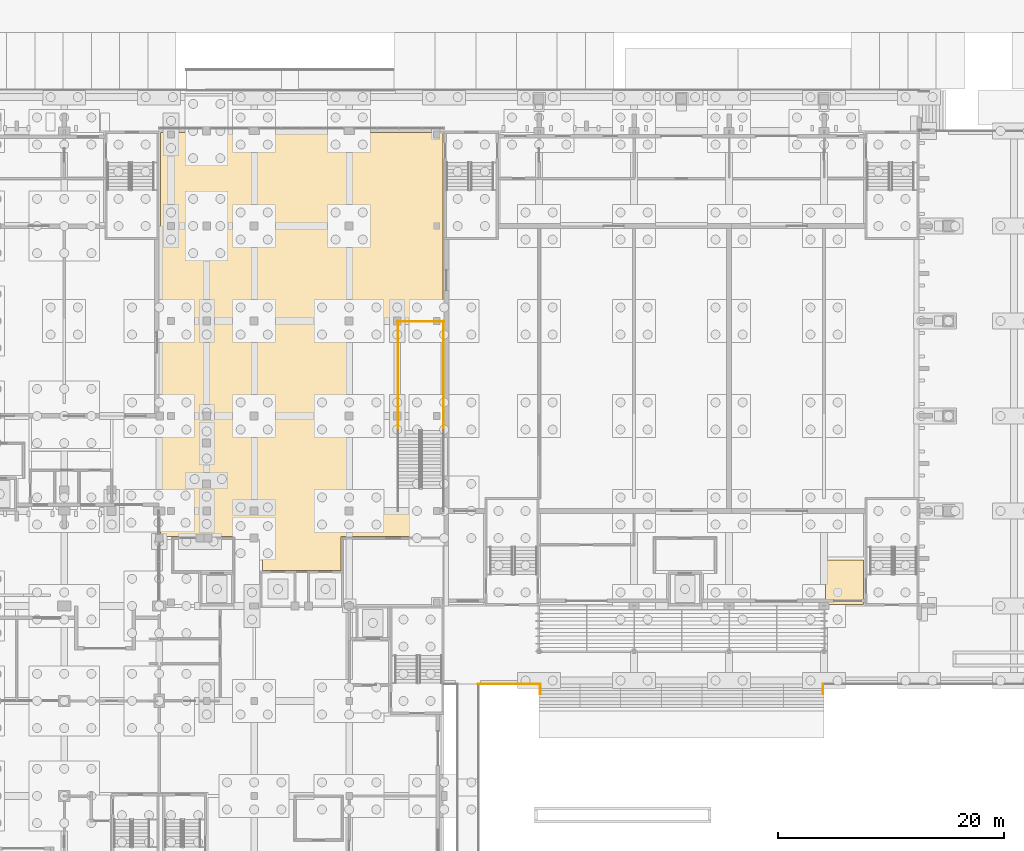
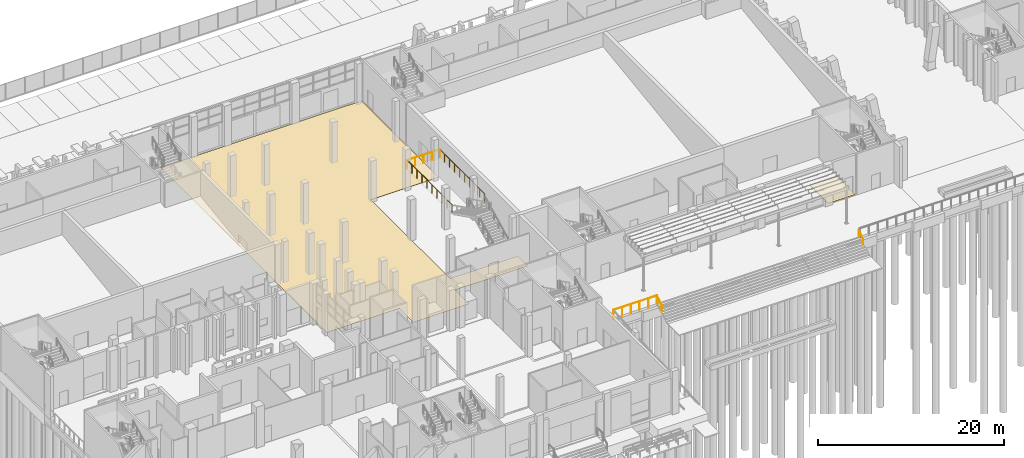
# One storey, part 110 of 129: 6 railings, 2 coverings.
"""IFC4 building model written with IfcOpenShell, lengths in metres."""

from ifc_helpers import new_model, si_unit, direction, frame, origin, origin_2d, place, context, subcontext, project, spatial, polyline, circle, outline, extrude, material, layer, layer_set, type_object, element, save


model = new_model("IFC4")

# Units and contexts
model_context = context("Model", 3, precision=1e-05, world=origin(), true_north=direction((0.0, 1.0)))
body_context = subcontext(model_context, "Body", "Model", "MODEL_VIEW")
ifc_project = project(units=[si_unit("LENGTHUNIT", "METRE"), si_unit("AREAUNIT", "SQUARE_METRE"), si_unit("VOLUMEUNIT", "CUBIC_METRE"), si_unit("PLANEANGLEUNIT", "RADIAN"), si_unit("MASSUNIT", "GRAM", prefix="KILO")], contexts=[model_context])

# Site, building, storey
site_placement = place(None, origin())
site = spatial("IfcSite", under=ifc_project, at=site_placement, CompositionType="ELEMENT")
building_placement = place(site_placement, origin())
building = spatial("IfcBuilding", under=site, at=building_placement, Name="Kiln Court Media Centre", CompositionType="ELEMENT")
storey_placement = place(building_placement, origin())
storey = spatial("IfcBuildingStorey", under=building, at=storey_placement, Name="L00", CompositionType="ELEMENT", Elevation=0.0)

# Coverings
ifc_material_1 = material(Name="Engineered timber", Category="wood")
ifc_layer_1 = layer(ifc_material_1, 0.02001953125)
ifc_layer_set_1 = layer_set([ifc_layer_1], Name="Engineered timber floor finish 20")
covering_type_1 = type_object("IfcCoveringType", Name="Engineered timber floor finish 20", PredefinedType="FLOORING", material=ifc_layer_set_1)
covering_1_placement = place(storey_placement, origin())
element("IfcCovering", 1, at=covering_1_placement, inside=storey, type_object=covering_type_1, Name="Cinema Concessions floor finish", PredefinedType="FLOORING", context=body_context, shape_type="SweptSolid", body=[
    extrude(outline(polyline([(92.52001953125, 25.320068359375), (95.8798828125, 25.320068359375), (95.8798828125, 29.280029296875), (92.52001953125, 29.280029296875), (92.52001953125, 25.320068359375)])), origin(), (0.0, 0.0, 1.0), 0.02001953125),
])
ifc_material_2 = material(Name="Terrazzo")
ifc_layer_2 = layer(ifc_material_2, 0.02490234375)
ifc_layer_set_2 = layer_set([ifc_layer_2], Name="Polished terrazzo floor finish 25")
covering_type_2 = type_object("IfcCoveringType", Name="Polished terrazzo floor finish 25", PredefinedType="FLOORING", material=ifc_layer_set_2)
covering_2_placement = place(storey_placement, origin())
element("IfcCovering", 2, at=covering_2_placement, inside=storey, type_object=covering_type_2, Name="Great Foyer floor finish", PredefinedType="FLOORING", context=body_context, shape_type="SweptSolid", body=[
    extrude(outline(polyline([(42.719970703125, 28.320068359375), (49.679931640625, 28.320068359375), (49.679931640625, 31.320068359375), (58.679931640625, 31.320068359375), (58.679931640625, 33.47998046875), (50.280029296875, 33.47998046875), (50.280029296875, 50.52001953125), (58.679931640625, 50.52001953125), (58.679931640625, 67.080078125), (33.719970703125, 67.080078125), (33.719970703125, 31.320068359375), (42.719970703125, 31.320068359375), (42.719970703125, 28.320068359375)])), origin(), (0.0, 0.0, 1.0), 0.02490234375),
])

# Railings
ifc_material_3 = material(Name="Steel S275", Category="steel")
railing_type_1 = type_object("IfcRailingType", Name="Steel S275 stair guard 1100", PredefinedType="GUARDRAIL", material=ifc_material_3)
for number, where, name in (
    (3, (58.75, 40.699951171875, 2.699951171875), "ST-F1 stair guard"),
    (4, (54.699951171875, 40.699951171875, 2.699951171875), "ST-F1 stair guard"),
):
    element("IfcRailing", number, at=place(storey_placement, frame(where)), inside=storey, type_object=railing_type_1, Name=name, PredefinedType="GUARDRAIL", context=body_context, shape_type="SweptSolid", body=[
        extrude(circle(Radius=0.02392578125, at=origin_2d()), frame((0.0, 0.0, 1.076171875), z_axis=(0.0, 1.0, 0.0), x_axis=(-1.0, 0.0, 0.0)), (0.0, 0.0, 1.0), 9.699951171875),
        extrude(circle(Radius=0.02099609375, at=origin_2d()), origin(), (0.0, 0.0, 1.0), 1.052001953125),
        extrude(circle(Radius=0.02099609375, at=origin_2d()), frame((0.0, 1.077880859375, 0.0)), (0.0, 0.0, 1.0), 1.052001953125),
        extrude(circle(Radius=0.02099609375, at=origin_2d()), frame((0.0, 2.155517578125, 0.0)), (0.0, 0.0, 1.0), 1.052001953125),
        extrude(circle(Radius=0.02099609375, at=origin_2d()), frame((0.0, 3.2333984375, 0.0)), (0.0, 0.0, 1.0), 1.052001953125),
        extrude(circle(Radius=0.02099609375, at=origin_2d()), frame((0.0, 4.31103515625, 0.0)), (0.0, 0.0, 1.0), 1.052001953125),
        extrude(circle(Radius=0.02099609375, at=origin_2d()), frame((0.0, 5.388916015625, 0.0)), (0.0, 0.0, 1.0), 1.052001953125),
        extrude(circle(Radius=0.02099609375, at=origin_2d()), frame((0.0, 6.466552734375, 0.0)), (0.0, 0.0, 1.0), 1.052001953125),
        extrude(circle(Radius=0.02099609375, at=origin_2d()), frame((0.0, 7.54443359375, 0.0)), (0.0, 0.0, 1.0), 1.052001953125),
        extrude(circle(Radius=0.02099609375, at=origin_2d()), frame((0.0, 8.6220703125, 0.0)), (0.0, 0.0, 1.0), 1.052001953125),
        extrude(circle(Radius=0.02099609375, at=origin_2d()), frame((0.0, 9.699951171875, 0.0)), (0.0, 0.0, 1.0), 1.052001953125),
    ])
railing_1_placement = place(storey_placement, frame((58.800048828125, 50.35009765625, 2.699951171875)))
element("IfcRailing", 5, at=railing_1_placement, inside=storey, type_object=railing_type_1, Name="ST-F1 stair guard", PredefinedType="GUARDRAIL", context=body_context, shape_type="SweptSolid", body=[
    extrude(circle(Radius=0.02392578125, at=origin_2d()), frame((0.0, 0.0, 1.076171875), z_axis=(-1.0, 0.0, 0.0), x_axis=(0.0, -1.0, 0.0)), (0.0, 0.0, 1.0), 4.150146484375),
    extrude(circle(Radius=0.02099609375, at=origin_2d()), origin(), (0.0, 0.0, 1.0), 1.052001953125),
    extrude(circle(Radius=0.02099609375, at=origin_2d()), frame((-1.03759765625, 0.0, 0.0)), (0.0, 0.0, 1.0), 1.052001953125),
    extrude(circle(Radius=0.02099609375, at=origin_2d()), frame((-2.0751953125, 0.0, 0.0)), (0.0, 0.0, 1.0), 1.052001953125),
    extrude(circle(Radius=0.02099609375, at=origin_2d()), frame((-3.112548828125, 0.0, 0.0)), (0.0, 0.0, 1.0), 1.052001953125),
    extrude(circle(Radius=0.02099609375, at=origin_2d()), frame((-4.150146484375, 0.0, 0.0)), (0.0, 0.0, 1.0), 1.052001953125),
])
ifc_material_4 = material(Name="Steel ASTM A572 Gr 50", Category="steel")
railing_type_2 = type_object("IfcRailingType", Name="Steel guard rail 1100", PredefinedType="GUARDRAIL", material=ifc_material_4)
railing_2_placement = place(storey_placement, frame((61.800048828125, 18.279052734375, -0.14990234375)))
element("IfcRailing", 6, at=railing_2_placement, inside=storey, type_object=railing_type_2, Name="Deck edge guard 2", PredefinedType="GUARDRAIL", context=body_context, shape_type="SweptSolid", body=[
    extrude(circle(Radius=0.02392578125, at=origin_2d()), frame((0.0, 0.0, 1.22607421875), z_axis=(1.0, 0.0, 0.0), x_axis=(0.0, 1.0, 0.0)), (0.0, 0.0, 1.0), 5.39990234375),
    extrude(circle(Radius=0.02099609375, at=origin_2d()), origin(), (0.0, 0.0, 1.0), 1.201904296875),
    extrude(circle(Radius=0.02099609375, at=origin_2d()), frame((1.080078125, 0.0, 0.0)), (0.0, 0.0, 1.0), 1.201904296875),
    extrude(circle(Radius=0.02099609375, at=origin_2d()), frame((2.159912109375, 0.0, 0.0)), (0.0, 0.0, 1.0), 1.201904296875),
    extrude(circle(Radius=0.02099609375, at=origin_2d()), frame((3.239990234375, 0.0, 0.0)), (0.0, 0.0, 1.0), 1.201904296875),
    extrude(circle(Radius=0.02099609375, at=origin_2d()), frame((4.31982421875, 0.0, 0.0)), (0.0, 0.0, 1.0), 1.201904296875),
    extrude(circle(Radius=0.02099609375, at=origin_2d()), frame((5.39990234375, 0.0, 0.0)), (0.0, 0.0, 1.0), 1.201904296875),
])
ifc_material_5 = material(Name="Steel ASTM A572 Gr 50", Category="steel")
railing_type_3 = type_object("IfcRailingType", Name="Steel handrail 900", PredefinedType="HANDRAIL", material=ifc_material_5)
for number, where, name in (
    (7, (67.300048828125, 17.39990234375, -0.60009765625), "Steps handrail"),
    (8, (92.300048828125, 17.39990234375, -0.60009765625), "Steps handrail"),
):
    element("IfcRailing", number, at=place(storey_placement, frame(where)), inside=storey, type_object=railing_type_3, Name=name, PredefinedType="HANDRAIL", context=body_context, shape_type="SweptSolid", body=[
        extrude(circle(Radius=0.02392578125, at=origin_2d()), frame((0.0, 0.0, 0.8759765625), z_axis=(0.0, 0.832050294338, 0.554700196225), x_axis=(-1.0, 0.0, 0.0)), (0.0, 0.0, 1.0), 1.081787109375),
        extrude(circle(Radius=0.02099609375, at=origin_2d()), origin(), (0.0, 0.0, 1.0), 0.851806640625),
        extrude(circle(Radius=0.02099609375, at=origin_2d()), frame((0.0, 0.900146484375, 0.60009765625)), (0.0, 0.0, 1.0), 0.851806640625),
    ])

save(model, "model.ifc")
